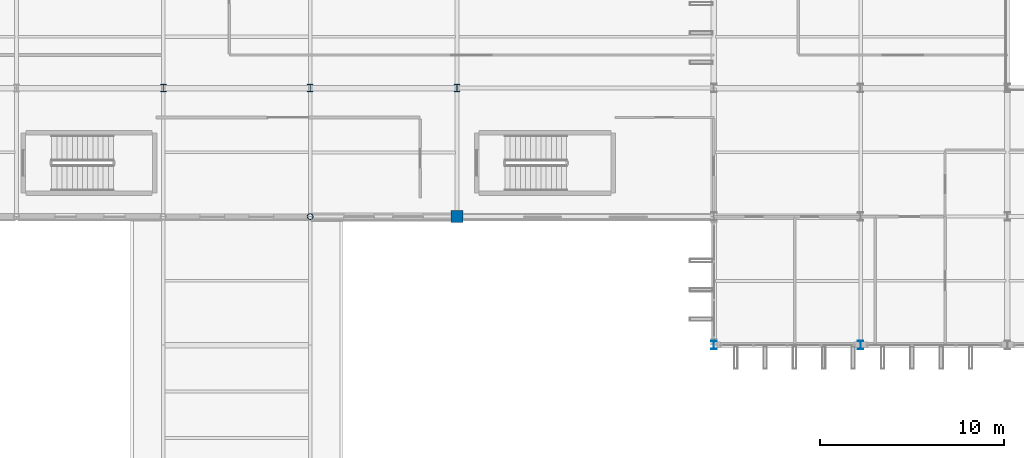
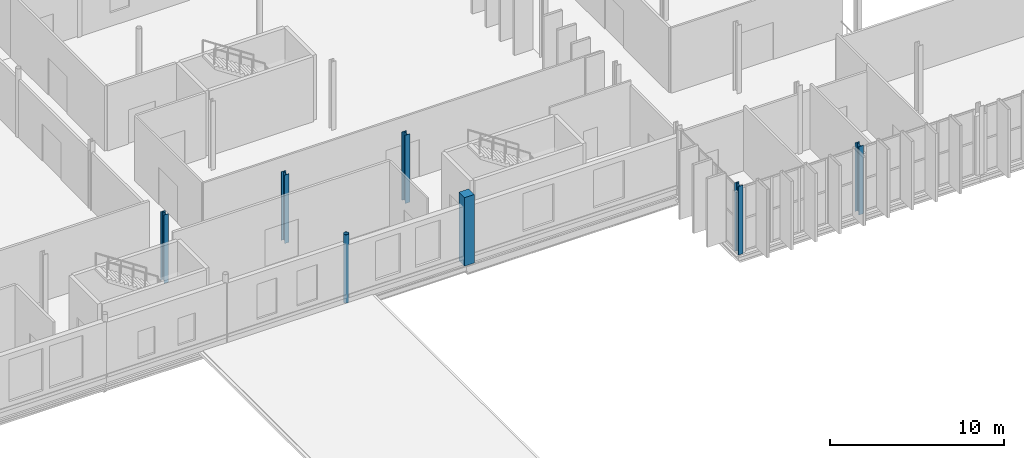
# One storey, part 2 of 120: 7 columns.
"""IFC4 building model written with IfcOpenShell, lengths in metres."""

from ifc_helpers import new_model, si_unit, direction, frame, origin, origin_2d, place, context, subcontext, project, spatial, rectangle, hollow_circle, i_section, extrude, material, material_profile, profile_set, type_object, element, save


model = new_model("IFC4")

# Units and contexts
model_context = context("Model", 3, precision=1e-05, world=origin(), true_north=direction((0.0, 1.0)))
body_context = subcontext(model_context, "Body", "Model", "MODEL_VIEW")
ifc_project = project(units=[si_unit("LENGTHUNIT", "METRE"), si_unit("AREAUNIT", "SQUARE_METRE"), si_unit("VOLUMEUNIT", "CUBIC_METRE"), si_unit("PLANEANGLEUNIT", "RADIAN"), si_unit("MASSUNIT", "GRAM", prefix="KILO")], contexts=[model_context])

# Site, building, storey
site_placement = place(None, origin())
site = spatial("IfcSite", under=ifc_project, at=site_placement, CompositionType="ELEMENT")
building_placement = place(site_placement, origin())
building = spatial("IfcBuilding", under=site, at=building_placement, Name="Vekula Escarpment Museum", CompositionType="ELEMENT")
storey_placement = place(building_placement, frame((0.0, 0.0, 13.199951171875)))
storey = spatial("IfcBuildingStorey", under=building, at=storey_placement, Name="L03", CompositionType="ELEMENT", Elevation=13.199951171875)

# Columns
ifc_material_1 = material(Name="Steel S355", Category="steel")
ifc_material_profile_1 = material_profile(ifc_material_1, hollow_circle(Radius=0.161865234375, WallThickness=0.01611328125, at=origin_2d()), Name="CHS 323.9x16")
ifc_profile_set_1 = profile_set([ifc_material_profile_1], Name="Steel S355")
column_type_1 = type_object("IfcColumnType", Name="COL-S-CHS323", PredefinedType="COLUMN", material=ifc_profile_set_1)
column_1_placement = place(storey_placement, frame((48.0, 52.60009765625, 0.0), z_axis=(0.0, 0.0, 1.0), x_axis=(1.0, 0.0, 0.0)))
element("IfcColumn", 1, at=column_1_placement, inside=storey, type_object=column_type_1, Name="Column L03 (48.0,52.6)", PredefinedType="COLUMN", context=body_context, shape_type="SweptSolid", body=[
    extrude(hollow_circle(Radius=0.161865234375, WallThickness=0.01611328125, at=origin_2d()), origin(), (0.0, 0.0, 1.0), 4.800048828125),
])
ifc_material_2 = material(Name="Steel S355", Category="steel")
ifc_material_profile_2 = material_profile(ifc_material_2, i_section(OverallWidth=0.300048828125, OverallDepth=0.39990234375, WebThickness=0.013427734375, FlangeThickness=0.02392578125, FilletRadius=0.027099609375, at=origin_2d()), Name="HEB 400")
ifc_profile_set_2 = profile_set([ifc_material_profile_2], Name="Steel S355")
column_type_2 = type_object("IfcColumnType", Name="COL-S-HEB400", PredefinedType="COLUMN", material=ifc_profile_set_2)
for number, where, z_axis, x_axis, name in (
    (2, (40.0, 59.60009765625, 0.0), (0.0, 0.0, 1.0), (1.0, 0.0, 0.0), "Column L03 (40.0,59.6)"),
    (3, (48.0, 59.60009765625, 0.0), (0.0, 0.0, 1.0), (1.0, 0.0, 0.0), "Column L03 (48.0,59.6)"),
    (4, (56.0, 59.60009765625, 0.0), (0.0, 0.0, 1.0), (1.0, 0.0, 0.0), "Column L03 (56.0,59.6)"),
):
    element("IfcColumn", number, at=place(storey_placement, frame(where, z_axis=z_axis, x_axis=x_axis)), inside=storey, type_object=column_type_2, Name=name, PredefinedType="COLUMN", context=body_context, shape_type="SweptSolid", body=[
        extrude(i_section(OverallWidth=0.300048828125, OverallDepth=0.39990234375, WebThickness=0.013427734375, FlangeThickness=0.02392578125, FilletRadius=0.027099609375, at=origin_2d()), origin(), (0.0, 0.0, 1.0), 4.800048828125),
    ])
ifc_material_3 = material(Name="Steel S355", Category="steel")
ifc_material_profile_3 = material_profile(ifc_material_3, i_section(OverallWidth=0.300048828125, OverallDepth=0.449951171875, WebThickness=0.013916015625, FlangeThickness=0.02587890625, FilletRadius=0.027099609375, at=origin_2d()), Name="HEB 450")
ifc_profile_set_3 = profile_set([ifc_material_profile_3], Name="Steel S355")
column_type_3 = type_object("IfcColumnType", Name="COL-S-HEB450", PredefinedType="COLUMN", material=ifc_profile_set_3)
for number, where, z_axis, x_axis, name in (
    (5, (70.0, 45.60009765625, 0.0), (0.0, 0.0, 1.0), (1.0, 0.0, 0.0), "Column L03 (70.0,45.6)"),
    (6, (78.0, 45.60009765625, 0.0), (0.0, 0.0, 1.0), (1.0, 0.0, 0.0), "Column L03 (78.0,45.6)"),
):
    element("IfcColumn", number, at=place(storey_placement, frame(where, z_axis=z_axis, x_axis=x_axis)), inside=storey, type_object=column_type_3, Name=name, PredefinedType="COLUMN", context=body_context, shape_type="SweptSolid", body=[
        extrude(i_section(OverallWidth=0.300048828125, OverallDepth=0.449951171875, WebThickness=0.013916015625, FlangeThickness=0.02587890625, FilletRadius=0.027099609375, at=origin_2d()), origin(), (0.0, 0.0, 1.0), 4.800048828125),
    ])
ifc_material_4 = material(Name="Inkisi arkosic sandstone masonry", Category="masonry")
ifc_material_profile_4 = material_profile(ifc_material_4, rectangle(XDim=0.64990234375, YDim=0.64990234375, at=origin_2d()), Name="PIER 650x650")
ifc_profile_set_4 = profile_set([ifc_material_profile_4], Name="Inkisi arkosic sandstone masonry")
column_type_4 = type_object("IfcColumnType", Name="PIL-ALM-650", PredefinedType="PILASTER", material=ifc_profile_set_4)
column_2_placement = place(storey_placement, frame((56.0, 52.60009765625, 0.0), z_axis=(0.0, 0.0, 1.0), x_axis=(1.0, 0.0, 0.0)))
element("IfcColumn", 7, at=column_2_placement, inside=storey, type_object=column_type_4, Name="Column L03 (56.0,52.6)", PredefinedType="PILASTER", context=body_context, shape_type="SweptSolid", body=[
    extrude(rectangle(XDim=0.64990234375, YDim=0.64990234375, at=origin_2d()), origin(), (0.0, 0.0, 1.0), 4.800048828125),
])

save(model, "model.ifc")
